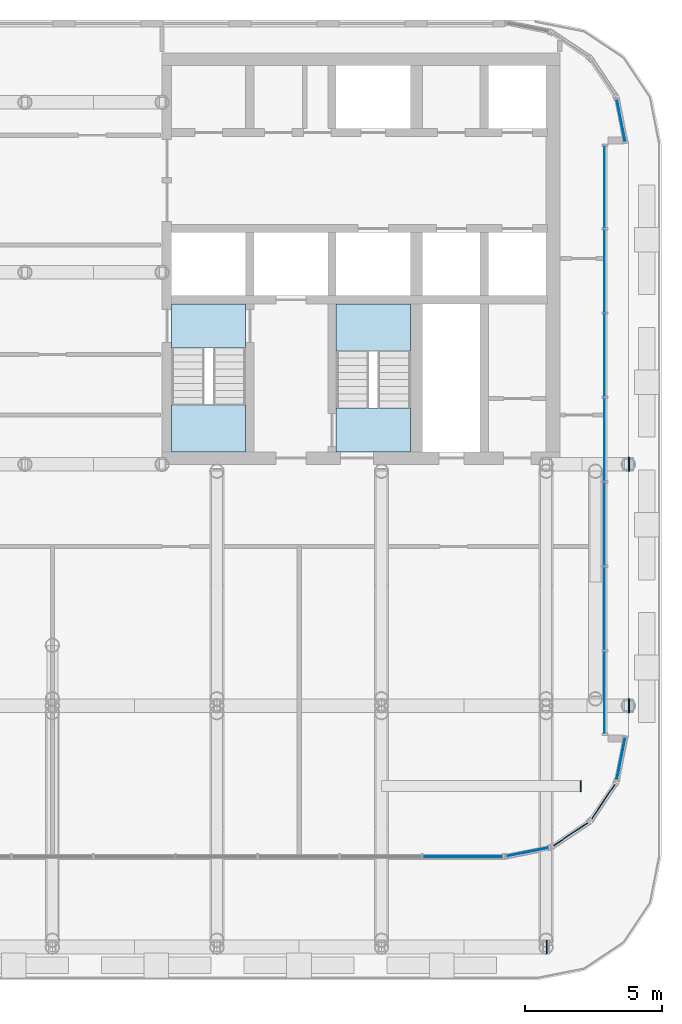
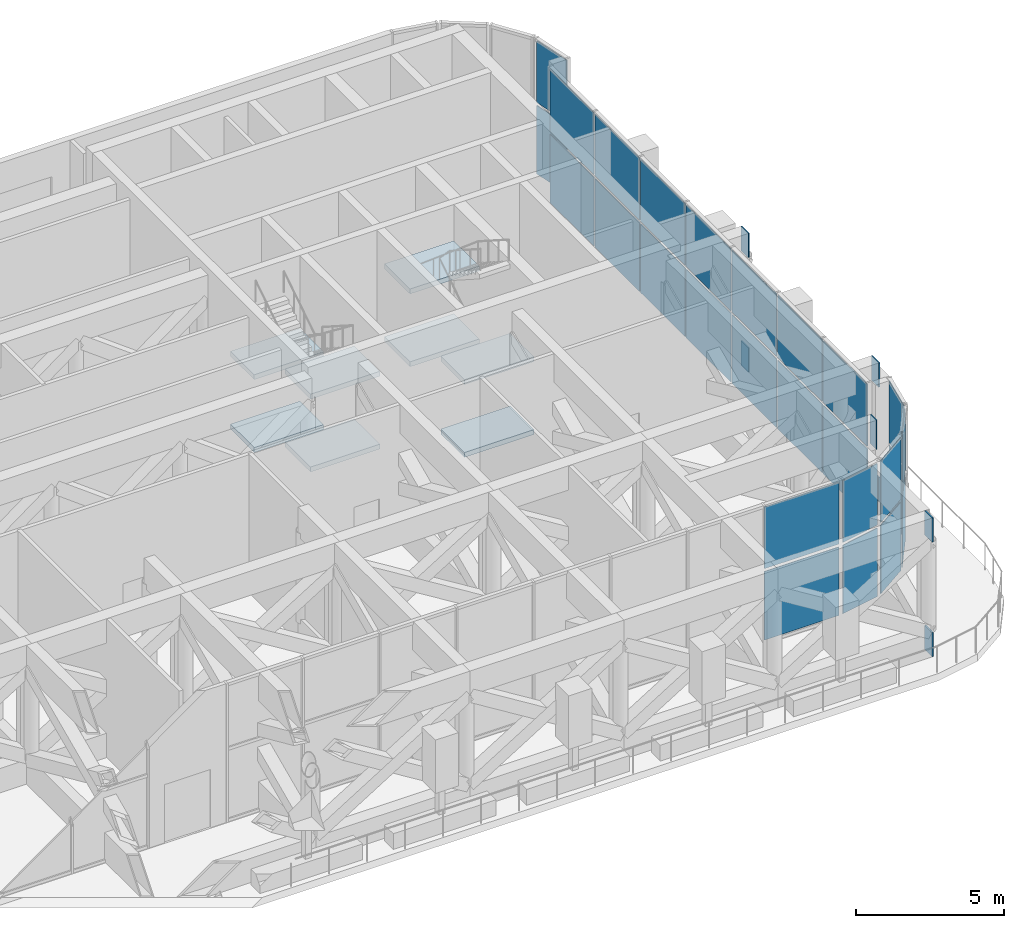
# One storey, part 10 of 20: 33 plates, 8 slabs, 9 elements without a shape of their own.
"""IFC4 building model written with IfcOpenShell, lengths in metres."""

from ifc_helpers import new_model, si_unit, direction, frame, origin, origin_2d, place, context, subcontext, project, spatial, polyline, rectangle, outline, extrude, material, layer, layer_set, type_object, element, aggregate, save


model = new_model("IFC4")

# Units and contexts
model_context = context("Model", 3, precision=1e-05, world=origin(), true_north=direction((0.0, 1.0)))
body_context = subcontext(model_context, "Body", "Model", "MODEL_VIEW")
ifc_project = project(units=[si_unit("LENGTHUNIT", "METRE"), si_unit("AREAUNIT", "SQUARE_METRE"), si_unit("VOLUMEUNIT", "CUBIC_METRE"), si_unit("PLANEANGLEUNIT", "RADIAN"), si_unit("MASSUNIT", "GRAM", prefix="KILO")], contexts=[model_context])

# Site, building, storey
site_placement = place(None, origin())
site = spatial("IfcSite", under=ifc_project, at=site_placement, CompositionType="ELEMENT")
building_placement = place(site_placement, origin())
building = spatial("IfcBuilding", under=site, at=building_placement, Name="Torana Hotel and Residences", CompositionType="ELEMENT")
storey_placement = place(building_placement, frame((0.0, 0.0, 177.60009765625)))
storey = spatial("IfcBuildingStorey", under=building, at=storey_placement, Name="L46", CompositionType="ELEMENT", Elevation=177.60009765625)

# Curtain wall, plates
ifc_material_1 = material(Name="Dark anodised aluminium", Category="aluminium")
ifc_layer_1 = layer(ifc_material_1, 0.199951171875)
ifc_layer_set_1 = layer_set([ifc_layer_1], Name="CW2 SKY LOBBY UNITISED CURTAIN WALL")
curtain_wall_type = type_object("IfcCurtainWallType", Name="CW2 SKY LOBBY UNITISED CURTAIN WALL", PredefinedType="NOTDEFINED", material=ifc_layer_set_1)
curtain_wall_1_placement = place(storey_placement, origin())
curtain_wall_1 = element("IfcCurtainWall", 1, at=curtain_wall_1_placement, inside=storey, type_object=curtain_wall_type, Name="Curtain wall CW2 L46 e0.0-1", PredefinedType="NOTDEFINED")
ifc_material_2 = material(Name="Glass dark tinted double glazed unit", Category="glass")
ifc_layer_2 = layer(ifc_material_2, 0.031982421875)
ifc_layer_set_2 = layer_set([ifc_layer_2], Name="CW2 DARK GLASS PANEL 32")
plate_type_1 = type_object("IfcPlateType", Name="CW2 DARK GLASS PANEL 32", PredefinedType="CURTAIN_PANEL", material=ifc_layer_set_2)
plate_1_placement = place(storey_placement, frame((26.733154296875, -2.470703125, 0.11962890625), z_axis=(0.0, 0.0, 1.0), x_axis=(-0.195063848566, 0.980790545928, 0.0)))
plate_1 = element("IfcPlate", 2, at=plate_1_placement, type_object=plate_type_1, Name="CW2 panel 1.1", PredefinedType="CURTAIN_PANEL", context=body_context, shape_type="SweptSolid", body=[
    extrude(rectangle(XDim=1.54150390625, YDim=0.031982421875, at=origin_2d()), origin(), (0.0, 0.0, 1.0), 2.820068359375),
])
plate_2_placement = place(storey_placement, frame((26.733154296875, -2.470703125, 3.059814453125), z_axis=(0.0, 0.0, 1.0), x_axis=(-0.195063848566, 0.980790545928, 0.0)))
plate_2 = element("IfcPlate", 3, at=plate_2_placement, type_object=plate_type_1, Name="CW2 panel 1.2", PredefinedType="CURTAIN_PANEL", context=body_context, shape_type="SweptSolid", body=[
    extrude(rectangle(XDim=1.54150390625, YDim=0.031982421875, at=origin_2d()), origin(), (0.0, 0.0, 1.0), 2.5400390625),
])
aggregate(curtain_wall_1, [plate_1, plate_2])

curtain_wall_2_placement = place(storey_placement, origin())
curtain_wall_2 = element("IfcCurtainWall", 4, at=curtain_wall_2_placement, inside=storey, type_object=curtain_wall_type, Name="Curtain wall CW2 L46 e0.14-2", PredefinedType="NOTDEFINED")
plate_3_placement = place(storey_placement, frame((20.95947265625, -29.300048828125, 0.11962890625), z_axis=(0.0, 0.0, 1.0), x_axis=(1.0, 0.0, 0.0)))
plate_3 = element("IfcPlate", 5, at=plate_3_placement, type_object=plate_type_1, Name="CW2 panel 8.1", PredefinedType="CURTAIN_PANEL", context=body_context, shape_type="SweptSolid", body=[
    extrude(rectangle(XDim=2.891845703125, YDim=0.031982421875, at=origin_2d()), origin(), (0.0, 0.0, 1.0), 2.820068359375),
])
plate_4_placement = place(storey_placement, frame((20.95947265625, -29.300048828125, 3.059814453125), z_axis=(0.0, 0.0, 1.0), x_axis=(1.0, 0.0, 0.0)))
plate_4 = element("IfcPlate", 6, at=plate_4_placement, type_object=plate_type_1, Name="CW2 panel 8.2", PredefinedType="CURTAIN_PANEL", context=body_context, shape_type="SweptSolid", body=[
    extrude(rectangle(XDim=2.891845703125, YDim=0.031982421875, at=origin_2d()), origin(), (0.0, 0.0, 1.0), 2.5400390625),
])
aggregate(curtain_wall_2, [plate_3, plate_4])

curtain_wall_3_placement = place(storey_placement, origin())
curtain_wall_3 = element("IfcCurtainWall", 7, at=curtain_wall_3_placement, inside=storey, type_object=curtain_wall_type, Name="Curtain wall CW2 L46 e0.15-1", PredefinedType="NOTDEFINED")
plate_5_placement = place(storey_placement, frame((23.3291015625, -29.133056640625, 0.11962890625), z_axis=(0.0, 0.0, 1.0), x_axis=(0.980790545928, 0.195063848566, 0.0)))
plate_5 = element("IfcPlate", 8, at=plate_5_placement, type_object=plate_type_1, Name="CW2 panel 1.1", PredefinedType="CURTAIN_PANEL", context=body_context, shape_type="SweptSolid", body=[
    extrude(rectangle(XDim=1.54150390625, YDim=0.031982421875, at=origin_2d()), origin(), (0.0, 0.0, 1.0), 2.820068359375),
])
plate_6_placement = place(storey_placement, frame((23.3291015625, -29.133056640625, 3.059814453125), z_axis=(0.0, 0.0, 1.0), x_axis=(0.980790545928, 0.195063848566, 0.0)))
plate_6 = element("IfcPlate", 9, at=plate_6_placement, type_object=plate_type_1, Name="CW2 panel 1.2", PredefinedType="CURTAIN_PANEL", context=body_context, shape_type="SweptSolid", body=[
    extrude(rectangle(XDim=1.54150390625, YDim=0.031982421875, at=origin_2d()), origin(), (0.0, 0.0, 1.0), 2.5400390625),
])
aggregate(curtain_wall_3, [plate_5, plate_6])

curtain_wall_4_placement = place(storey_placement, origin())
curtain_wall_4 = element("IfcCurtainWall", 10, at=curtain_wall_4_placement, inside=storey, type_object=curtain_wall_type, Name="Curtain wall CW2 L46 e0.16-1", PredefinedType="NOTDEFINED")
plate_7_placement = place(storey_placement, frame((24.896484375, -28.486572265625, 0.11962890625), z_axis=(0.0, 0.0, 1.0), x_axis=(0.831473968618, 0.555563713278, 0.0)))
plate_7 = element("IfcPlate", 11, at=plate_7_placement, type_object=plate_type_1, Name="CW2 panel 1.1", PredefinedType="CURTAIN_PANEL", context=body_context, shape_type="SweptSolid", body=[
    extrude(rectangle(XDim=1.516357421875, YDim=0.031982421875, at=origin_2d()), origin(), (0.0, 0.0, 1.0), 2.820068359375),
])
plate_8_placement = place(storey_placement, frame((24.896484375, -28.486572265625, 3.059814453125), z_axis=(0.0, 0.0, 1.0), x_axis=(0.831473968618, 0.555563713278, 0.0)))
plate_8 = element("IfcPlate", 12, at=plate_8_placement, type_object=plate_type_1, Name="CW2 panel 1.2", PredefinedType="CURTAIN_PANEL", context=body_context, shape_type="SweptSolid", body=[
    extrude(rectangle(XDim=1.516357421875, YDim=0.031982421875, at=origin_2d()), origin(), (0.0, 0.0, 1.0), 2.5400390625),
])
aggregate(curtain_wall_4, [plate_7, plate_8])

curtain_wall_5_placement = place(storey_placement, origin())
curtain_wall_5 = element("IfcCurtainWall", 13, at=curtain_wall_5_placement, inside=storey, type_object=curtain_wall_type, Name="Curtain wall CW2 L46 e0.17-1", PredefinedType="NOTDEFINED")
plate_9_placement = place(storey_placement, frame((26.086669921875, -27.29638671875, 0.11962890625), z_axis=(0.0, 0.0, 1.0), x_axis=(0.555563713278, 0.831473968618, 0.0)))
plate_9 = element("IfcPlate", 14, at=plate_9_placement, type_object=plate_type_1, Name="CW2 panel 1.1", PredefinedType="CURTAIN_PANEL", context=body_context, shape_type="SweptSolid", body=[
    extrude(rectangle(XDim=1.516357421875, YDim=0.031982421875, at=origin_2d()), origin(), (0.0, 0.0, 1.0), 2.820068359375),
])
plate_10_placement = place(storey_placement, frame((26.086669921875, -27.29638671875, 3.059814453125), z_axis=(0.0, 0.0, 1.0), x_axis=(0.555563713278, 0.831473968618, 0.0)))
plate_10 = element("IfcPlate", 15, at=plate_10_placement, type_object=plate_type_1, Name="CW2 panel 1.2", PredefinedType="CURTAIN_PANEL", context=body_context, shape_type="SweptSolid", body=[
    extrude(rectangle(XDim=1.516357421875, YDim=0.031982421875, at=origin_2d()), origin(), (0.0, 0.0, 1.0), 2.5400390625),
])
aggregate(curtain_wall_5, [plate_9, plate_10])

curtain_wall_6_placement = place(storey_placement, origin())
curtain_wall_6 = element("IfcCurtainWall", 16, at=curtain_wall_6_placement, inside=storey, type_object=curtain_wall_type, Name="Curtain wall CW2 L46 e0.18-1", PredefinedType="NOTDEFINED")
plate_11_placement = place(storey_placement, frame((26.733154296875, -25.729248046875, 0.11962890625), z_axis=(0.0, 0.0, 1.0), x_axis=(0.195063848566, 0.980790545928, 0.0)))
plate_11 = element("IfcPlate", 17, at=plate_11_placement, type_object=plate_type_1, Name="CW2 panel 1.1", PredefinedType="CURTAIN_PANEL", context=body_context, shape_type="SweptSolid", body=[
    extrude(rectangle(XDim=1.54150390625, YDim=0.031982421875, at=origin_2d()), origin(), (0.0, 0.0, 1.0), 2.820068359375),
])
plate_12_placement = place(storey_placement, frame((26.733154296875, -25.729248046875, 3.059814453125), z_axis=(0.0, 0.0, 1.0), x_axis=(0.195063848566, 0.980790545928, 0.0)))
plate_12 = element("IfcPlate", 18, at=plate_12_placement, type_object=plate_type_1, Name="CW2 panel 1.2", PredefinedType="CURTAIN_PANEL", context=body_context, shape_type="SweptSolid", body=[
    extrude(rectangle(XDim=1.54150390625, YDim=0.031982421875, at=origin_2d()), origin(), (0.0, 0.0, 1.0), 2.5400390625),
])
aggregate(curtain_wall_6, [plate_11, plate_12])

curtain_wall_7_placement = place(storey_placement, origin())
curtain_wall_7 = element("IfcCurtainWall", 19, at=curtain_wall_7_placement, inside=storey, type_object=curtain_wall_type, Name="Curtain wall CW2 L46 e0.19-1", PredefinedType="NOTDEFINED")
plate_13_placement = place(storey_placement, frame((26.1298828125, -23.318603515625, 0.11962890625), z_axis=(0.0, 0.0, 1.0), x_axis=(0.0, 1.0, 0.0)))
plate_13 = element("IfcPlate", 20, at=plate_13_placement, type_object=plate_type_1, Name="CW2 panel 1.1", PredefinedType="CURTAIN_PANEL", context=body_context, shape_type="SweptSolid", body=[
    extrude(rectangle(XDim=2.9736328125, YDim=0.031982421875, at=origin_2d()), origin(), (0.0, 0.0, 1.0), 2.820068359375),
])
plate_14_placement = place(storey_placement, frame((26.1298828125, -23.318603515625, 3.059814453125), z_axis=(0.0, 0.0, 1.0), x_axis=(0.0, 1.0, 0.0)))
plate_14 = element("IfcPlate", 21, at=plate_14_placement, type_object=plate_type_1, Name="CW2 panel 1.2", PredefinedType="CURTAIN_PANEL", context=body_context, shape_type="SweptSolid", body=[
    extrude(rectangle(XDim=2.9736328125, YDim=0.031982421875, at=origin_2d()), origin(), (0.0, 0.0, 1.0), 2.5400390625),
])
plate_15_placement = place(storey_placement, frame((26.1298828125, -20.25732421875, 0.11962890625), z_axis=(0.0, 0.0, 1.0), x_axis=(0.0, 1.0, 0.0)))
plate_15 = element("IfcPlate", 22, at=plate_15_placement, type_object=plate_type_1, Name="CW2 panel 2.1", PredefinedType="CURTAIN_PANEL", context=body_context, shape_type="SweptSolid", body=[
    extrude(rectangle(XDim=3.0087890625, YDim=0.031982421875, at=origin_2d()), origin(), (0.0, 0.0, 1.0), 2.820068359375),
])
plate_16_placement = place(storey_placement, frame((26.1298828125, -20.25732421875, 3.059814453125), z_axis=(0.0, 0.0, 1.0), x_axis=(0.0, 1.0, 0.0)))
plate_16 = element("IfcPlate", 23, at=plate_16_placement, type_object=plate_type_1, Name="CW2 panel 2.2", PredefinedType="CURTAIN_PANEL", context=body_context, shape_type="SweptSolid", body=[
    extrude(rectangle(XDim=3.0087890625, YDim=0.031982421875, at=origin_2d()), origin(), (0.0, 0.0, 1.0), 2.5400390625),
])
plate_17_placement = place(storey_placement, frame((26.1298828125, -17.1787109375, 0.11962890625), z_axis=(0.0, 0.0, 1.0), x_axis=(0.0, 1.0, 0.0)))
plate_17 = element("IfcPlate", 24, at=plate_17_placement, type_object=plate_type_1, Name="CW2 panel 3.1", PredefinedType="CURTAIN_PANEL", context=body_context, shape_type="SweptSolid", body=[
    extrude(rectangle(XDim=3.0087890625, YDim=0.031982421875, at=origin_2d()), origin(), (0.0, 0.0, 1.0), 2.820068359375),
])
plate_18_placement = place(storey_placement, frame((26.1298828125, -17.1787109375, 3.059814453125), z_axis=(0.0, 0.0, 1.0), x_axis=(0.0, 1.0, 0.0)))
plate_18 = element("IfcPlate", 25, at=plate_18_placement, type_object=plate_type_1, Name="CW2 panel 3.2", PredefinedType="CURTAIN_PANEL", context=body_context, shape_type="SweptSolid", body=[
    extrude(rectangle(XDim=3.0087890625, YDim=0.031982421875, at=origin_2d()), origin(), (0.0, 0.0, 1.0), 2.5400390625),
])
plate_19_placement = place(storey_placement, frame((26.1298828125, -14.10009765625, 0.11962890625), z_axis=(0.0, 0.0, 1.0), x_axis=(0.0, 1.0, 0.0)))
plate_19 = element("IfcPlate", 26, at=plate_19_placement, type_object=plate_type_1, Name="CW2 panel 4.1", PredefinedType="CURTAIN_PANEL", context=body_context, shape_type="SweptSolid", body=[
    extrude(rectangle(XDim=3.0087890625, YDim=0.031982421875, at=origin_2d()), origin(), (0.0, 0.0, 1.0), 2.820068359375),
])
plate_20_placement = place(storey_placement, frame((26.1298828125, -14.10009765625, 3.059814453125), z_axis=(0.0, 0.0, 1.0), x_axis=(0.0, 1.0, 0.0)))
plate_20 = element("IfcPlate", 27, at=plate_20_placement, type_object=plate_type_1, Name="CW2 panel 4.2", PredefinedType="CURTAIN_PANEL", context=body_context, shape_type="SweptSolid", body=[
    extrude(rectangle(XDim=3.0087890625, YDim=0.031982421875, at=origin_2d()), origin(), (0.0, 0.0, 1.0), 2.5400390625),
])
plate_21_placement = place(storey_placement, frame((26.1298828125, -11.021240234375, 0.11962890625), z_axis=(0.0, 0.0, 1.0), x_axis=(0.0, 1.0, 0.0)))
plate_21 = element("IfcPlate", 28, at=plate_21_placement, type_object=plate_type_1, Name="CW2 panel 5.1", PredefinedType="CURTAIN_PANEL", context=body_context, shape_type="SweptSolid", body=[
    extrude(rectangle(XDim=3.0087890625, YDim=0.031982421875, at=origin_2d()), origin(), (0.0, 0.0, 1.0), 2.820068359375),
])
plate_22_placement = place(storey_placement, frame((26.1298828125, -11.021240234375, 3.059814453125), z_axis=(0.0, 0.0, 1.0), x_axis=(0.0, 1.0, 0.0)))
plate_22 = element("IfcPlate", 29, at=plate_22_placement, type_object=plate_type_1, Name="CW2 panel 5.2", PredefinedType="CURTAIN_PANEL", context=body_context, shape_type="SweptSolid", body=[
    extrude(rectangle(XDim=3.0087890625, YDim=0.031982421875, at=origin_2d()), origin(), (0.0, 0.0, 1.0), 2.5400390625),
])
plate_23_placement = place(storey_placement, frame((26.1298828125, -7.942626953125, 0.11962890625), z_axis=(0.0, 0.0, 1.0), x_axis=(0.0, 1.0, 0.0)))
plate_23 = element("IfcPlate", 30, at=plate_23_placement, type_object=plate_type_1, Name="CW2 panel 6.1", PredefinedType="CURTAIN_PANEL", context=body_context, shape_type="SweptSolid", body=[
    extrude(rectangle(XDim=3.0087890625, YDim=0.031982421875, at=origin_2d()), origin(), (0.0, 0.0, 1.0), 2.820068359375),
])
plate_24_placement = place(storey_placement, frame((26.1298828125, -7.942626953125, 3.059814453125), z_axis=(0.0, 0.0, 1.0), x_axis=(0.0, 1.0, 0.0)))
plate_24 = element("IfcPlate", 31, at=plate_24_placement, type_object=plate_type_1, Name="CW2 panel 6.2", PredefinedType="CURTAIN_PANEL", context=body_context, shape_type="SweptSolid", body=[
    extrude(rectangle(XDim=3.0087890625, YDim=0.031982421875, at=origin_2d()), origin(), (0.0, 0.0, 1.0), 2.5400390625),
])
plate_25_placement = place(storey_placement, frame((26.1298828125, -4.88134765625, 0.11962890625), z_axis=(0.0, 0.0, 1.0), x_axis=(0.0, 1.0, 0.0)))
plate_25 = element("IfcPlate", 32, at=plate_25_placement, type_object=plate_type_1, Name="CW2 panel 7.1", PredefinedType="CURTAIN_PANEL", context=body_context, shape_type="SweptSolid", body=[
    extrude(rectangle(XDim=2.9736328125, YDim=0.031982421875, at=origin_2d()), origin(), (0.0, 0.0, 1.0), 2.820068359375),
])
plate_26_placement = place(storey_placement, frame((26.1298828125, -4.88134765625, 3.059814453125), z_axis=(0.0, 0.0, 1.0), x_axis=(0.0, 1.0, 0.0)))
plate_26 = element("IfcPlate", 33, at=plate_26_placement, type_object=plate_type_1, Name="CW2 panel 7.2", PredefinedType="CURTAIN_PANEL", context=body_context, shape_type="SweptSolid", body=[
    extrude(rectangle(XDim=2.9736328125, YDim=0.031982421875, at=origin_2d()), origin(), (0.0, 0.0, 1.0), 2.5400390625),
])
aggregate(curtain_wall_7, [plate_13, plate_14, plate_15, plate_16, plate_17, plate_18, plate_19, plate_20, plate_21, plate_22, plate_23, plate_24, plate_25, plate_26])

# Stair, slabs
ifc_material_3 = material(Name="Concrete C40/50 precast", Category="concrete")
stair_type_1 = type_object("IfcStairType", Name="STAIR ST3 HALF TURN 1200", PredefinedType="HALF_TURN_STAIR", material=ifc_material_3)
stair_1_placement = place(storey_placement, origin())
stair_1 = element("IfcStair", 34, at=stair_1_placement, inside=storey, type_object=stair_type_1, Name="Stair ST3 L46", PredefinedType="HALF_TURN_STAIR")
ifc_material_4 = material(Name="Concrete C40/50 precast", Category="concrete")
ifc_layer_3 = layer(ifc_material_4, 0.199951171875)
ifc_layer_set_3 = layer_set([ifc_layer_3], Name="STAIR LANDING 200")
slab_type = type_object("IfcSlabType", Name="STAIR LANDING 200", PredefinedType="LANDING", material=ifc_layer_set_3)
slab_1_placement = place(storey_placement, frame((0.0, 0.0, 1.2998046875)))
slab_1 = element("IfcSlab", 35, at=slab_1_placement, type_object=slab_type, Name="ST3 landing 1", PredefinedType="LANDING", context=body_context, shape_type="SweptSolid", body=[
    extrude(outline(polyline([(10.35009765625, -14.550048828125), (13.050048828125, -14.550048828125), (13.050048828125, -12.830078125), (10.35009765625, -12.830078125), (10.35009765625, -14.550048828125)])), origin(), (0.0, 0.0, 1.0), 0.2001953125),
])
slab_2_placement = place(storey_placement, frame((0.0, 0.0, -0.2001953125)))
slab_2 = element("IfcSlab", 36, at=slab_2_placement, type_object=slab_type, Name="ST3 landing 2", PredefinedType="LANDING", context=body_context, shape_type="SweptSolid", body=[
    extrude(outline(polyline([(10.35009765625, -10.75), (13.050048828125, -10.75), (13.050048828125, -9.14990234375), (10.35009765625, -9.14990234375), (10.35009765625, -10.75)])), origin(), (0.0, 0.0, 1.0), 0.2001953125),
])
slab_3_placement = place(storey_placement, frame((0.0, 0.0, 4.2998046875)))
slab_3 = element("IfcSlab", 37, at=slab_3_placement, type_object=slab_type, Name="ST3 landing 3", PredefinedType="LANDING", context=body_context, shape_type="SweptSolid", body=[
    extrude(outline(polyline([(10.35009765625, -14.550048828125), (13.050048828125, -14.550048828125), (13.050048828125, -12.830078125), (10.35009765625, -12.830078125), (10.35009765625, -14.550048828125)])), origin(), (0.0, 0.0, 1.0), 0.2001953125),
])
slab_4_placement = place(storey_placement, frame((0.0, 0.0, 2.7998046875)))
slab_4 = element("IfcSlab", 38, at=slab_4_placement, type_object=slab_type, Name="ST3 landing 4", PredefinedType="LANDING", context=body_context, shape_type="SweptSolid", body=[
    extrude(outline(polyline([(10.35009765625, -10.75), (13.050048828125, -10.75), (13.050048828125, -9.14990234375), (10.35009765625, -9.14990234375), (10.35009765625, -10.75)])), origin(), (0.0, 0.0, 1.0), 0.2001953125),
])
aggregate(stair_1, [slab_1, slab_2, slab_3, slab_4])

ifc_material_5 = material(Name="Concrete C40/50 precast", Category="concrete")
stair_type_2 = type_object("IfcStairType", Name="STAIR ST4 HALF TURN 1200", PredefinedType="HALF_TURN_STAIR", material=ifc_material_5)
stair_2_placement = place(storey_placement, origin())
stair_2 = element("IfcStair", 39, at=stair_2_placement, inside=storey, type_object=stair_type_2, Name="Stair ST4 L46", PredefinedType="HALF_TURN_STAIR")
slab_5_placement = place(storey_placement, frame((0.0, 0.0, 1.2998046875)))
slab_5 = element("IfcSlab", 40, at=slab_5_placement, type_object=slab_type, Name="ST4 landing 1", PredefinedType="LANDING", context=body_context, shape_type="SweptSolid", body=[
    extrude(outline(polyline([(16.35009765625, -10.8701171875), (19.050048828125, -10.8701171875), (19.050048828125, -9.14990234375), (16.35009765625, -9.14990234375), (16.35009765625, -10.8701171875)])), origin(), (0.0, 0.0, 1.0), 0.2001953125),
])
slab_6_placement = place(storey_placement, frame((0.0, 0.0, -0.2001953125)))
slab_6 = element("IfcSlab", 41, at=slab_6_placement, type_object=slab_type, Name="ST4 landing 2", PredefinedType="LANDING", context=body_context, shape_type="SweptSolid", body=[
    extrude(outline(polyline([(16.35009765625, -14.550048828125), (19.050048828125, -14.550048828125), (19.050048828125, -12.949951171875), (16.35009765625, -12.949951171875), (16.35009765625, -14.550048828125)])), origin(), (0.0, 0.0, 1.0), 0.2001953125),
])
slab_7_placement = place(storey_placement, frame((0.0, 0.0, 4.2998046875)))
slab_7 = element("IfcSlab", 42, at=slab_7_placement, type_object=slab_type, Name="ST4 landing 3", PredefinedType="LANDING", context=body_context, shape_type="SweptSolid", body=[
    extrude(outline(polyline([(16.35009765625, -10.8701171875), (19.050048828125, -10.8701171875), (19.050048828125, -9.14990234375), (16.35009765625, -9.14990234375), (16.35009765625, -10.8701171875)])), origin(), (0.0, 0.0, 1.0), 0.2001953125),
])
slab_8_placement = place(storey_placement, frame((0.0, 0.0, 2.7998046875)))
slab_8 = element("IfcSlab", 43, at=slab_8_placement, type_object=slab_type, Name="ST4 landing 4", PredefinedType="LANDING", context=body_context, shape_type="SweptSolid", body=[
    extrude(outline(polyline([(16.35009765625, -14.550048828125), (19.050048828125, -14.550048828125), (19.050048828125, -12.949951171875), (16.35009765625, -12.949951171875), (16.35009765625, -14.550048828125)])), origin(), (0.0, 0.0, 1.0), 0.2001953125),
])
aggregate(stair_2, [slab_5, slab_6, slab_7, slab_8])

# Plates
ifc_material_6 = material(Name="Steel S355", Category="steel")
ifc_layer_4 = layer(ifc_material_6, 0.0400390625)
ifc_layer_set_4 = layer_set([ifc_layer_4], Name="STEEL END PLATE 40")
plate_type_2 = type_object("IfcPlateType", Name="STEEL END PLATE 40", PredefinedType="SHEET", material=ifc_layer_set_4)
plate_27_placement = place(storey_placement, frame((25.260009765625, -26.72998046875, 4.52001953125), z_axis=(0.0, 0.0, 1.0), x_axis=(1.0, 0.0, 0.0)))
element("IfcPlate", 44, at=plate_27_placement, inside=storey, type_object=plate_type_2, Name="End plate L46", PredefinedType="SHEET", context=body_context, shape_type="SweptSolid", body=[
    extrude(rectangle(XDim=0.0400390625, YDim=0.39990234375, at=origin_2d()), origin(), (0.0, 0.0, 1.0), 1.199951171875),
])
ifc_material_7 = material(Name="Steel S355", Category="steel")
ifc_layer_5 = layer(ifc_material_7, 0.050048828125)
ifc_layer_set_5 = layer_set([ifc_layer_5], Name="STEEL END PLATE 50")
plate_type_3 = type_object("IfcPlateType", Name="STEEL END PLATE 50", PredefinedType="SHEET", material=ifc_layer_set_5)
for number, where, z_axis, x_axis, name in (
    (45, (24.02490234375, -32.60009765625, 0.0), (0.0, 0.0, 1.0), (1.0, 0.0, 0.0), "End plate L46"),
    (46, (24.02490234375, -32.60009765625, 4.719970703125), (0.0, 0.0, 1.0), (1.0, 0.0, 0.0), "End plate L46"),
    (47, (27.02490234375, -23.800048828125, 0.0), (0.0, 0.0, 1.0), (1.0, 0.0, 0.0), "End plate L46"),
    (48, (27.02490234375, -23.800048828125, 4.719970703125), (0.0, 0.0, 1.0), (1.0, 0.0, 0.0), "End plate L46"),
    (49, (27.02490234375, -15.0, 0.0), (0.0, 0.0, 1.0), (1.0, 0.0, 0.0), "End plate L46"),
    (50, (27.02490234375, -15.0, 4.719970703125), (0.0, 0.0, 1.0), (1.0, 0.0, 0.0), "End plate L46"),
):
    element("IfcPlate", number, at=place(storey_placement, frame(where, z_axis=z_axis, x_axis=x_axis)), inside=storey, type_object=plate_type_3, Name=name, PredefinedType="SHEET", context=body_context, shape_type="SweptSolid", body=[
        extrude(rectangle(XDim=0.050048828125, YDim=0.5, at=origin_2d()), origin(), (0.0, 0.0, 1.0), 1.0),
    ])

save(model, "model.ifc")
